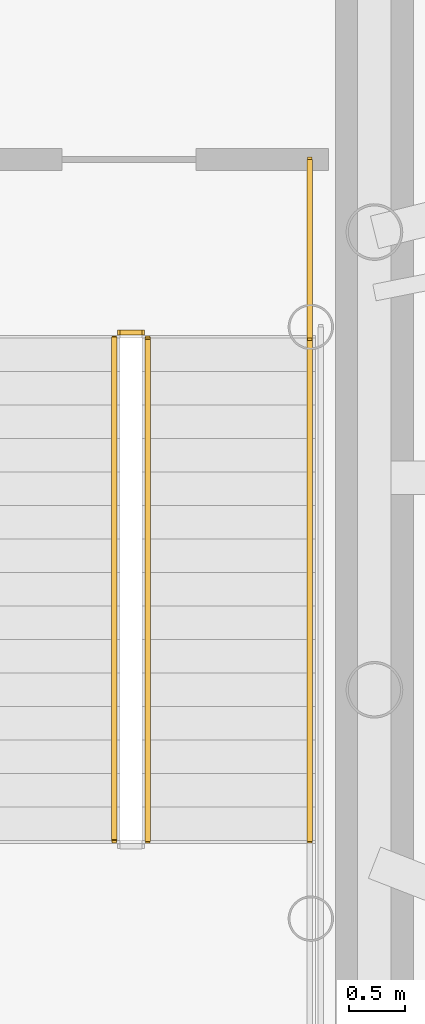
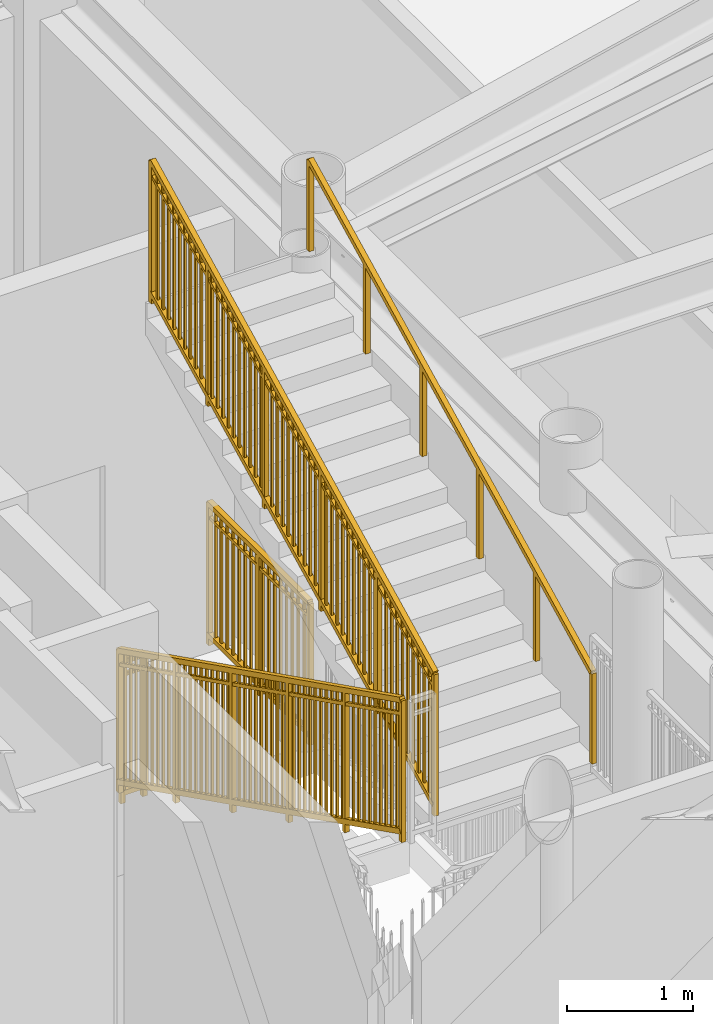
# One storey, part 31 of 32: 5 railings.
"""IFC4 building model written with IfcOpenShell, lengths in metres."""

from ifc_helpers import new_model, si_unit, direction, frame, origin, origin_2d, place, context, subcontext, project, spatial, rectangle, extrude, source, transform, mapped, material, type_object, element, save


model = new_model("IFC4")

# Units and contexts
model_context = context("Model", 3, precision=1e-05, world=origin(), true_north=direction((0.0, 1.0)))
body_context = subcontext(model_context, "Body", "Model", "MODEL_VIEW")
ifc_project = project(units=[si_unit("LENGTHUNIT", "METRE"), si_unit("AREAUNIT", "SQUARE_METRE"), si_unit("VOLUMEUNIT", "CUBIC_METRE"), si_unit("PLANEANGLEUNIT", "RADIAN"), si_unit("MASSUNIT", "GRAM", prefix="KILO")], contexts=[model_context])

# Site, building, storey
site_placement = place(None, origin())
site = spatial("IfcSite", under=ifc_project, at=site_placement, CompositionType="ELEMENT")
building_placement = place(site_placement, origin())
building = spatial("IfcBuilding", under=site, at=building_placement, Name="Linh Dai School and Residence Tower", CompositionType="ELEMENT")
storey_placement = place(building_placement, frame((0.0, 0.0, 268.199951171875)))
storey = spatial("IfcBuildingStorey", under=building, at=storey_placement, Name="L66", CompositionType="ELEMENT", Elevation=268.199951171875)

# Railings
ifc_material_1 = material(Name="Structural Steel S355JR", Category="steel")
railing_type_1 = type_object("IfcRailingType", Name="RL-ST-GUARD-1400", PredefinedType="GUARDRAIL", material=ifc_material_1)
shared_shape_1 = source(origin(), body_context, "Body", "SweptSolid", [
    extrude(rectangle(XDim=0.048095703125, YDim=0.048095703125, at=origin_2d()), frame((0.0, 0.0, 1.3759765625), z_axis=(0.0, 0.894427191, 0.4472135955), x_axis=(-1.0, 0.0, 0.0)), (0.0, 0.0, 1.0), 5.03125),
    extrude(rectangle(XDim=0.048095703125, YDim=0.048095703125, at=origin_2d()), frame((0.0, 0.0, 0.10009765625), z_axis=(0.0, 0.894427191, 0.4472135955), x_axis=(-1.0, 0.0, 0.0)), (0.0, 0.0, 1.0), 5.03125),
    extrude(rectangle(XDim=0.030029296875, YDim=0.030029296875, at=origin_2d()), frame((0.0, 0.0, 1.239990234375), z_axis=(0.0, 0.894427191, 0.4472135955), x_axis=(-1.0, 0.0, 0.0)), (0.0, 0.0, 1.0), 5.03125),
    extrude(rectangle(XDim=0.02001953125, YDim=0.02001953125, at=origin_2d()), frame((0.0, 0.08642578125, 0.143310546875)), (0.0, 0.0, 1.0), 1.251708984375),
    extrude(rectangle(XDim=0.02001953125, YDim=0.02001953125, at=origin_2d()), frame((0.0, 0.173095703125, 0.1865234375)), (0.0, 0.0, 1.0), 1.251708984375),
    extrude(rectangle(XDim=0.02001953125, YDim=0.02001953125, at=origin_2d()), frame((0.0, 0.259521484375, 0.22998046875)), (0.0, 0.0, 1.0), 1.251708984375),
    extrude(rectangle(XDim=0.02001953125, YDim=0.02001953125, at=origin_2d()), frame((0.0, 0.34619140625, 0.273193359375)), (0.0, 0.0, 1.0), 1.251708984375),
    extrude(rectangle(XDim=0.02001953125, YDim=0.02001953125, at=origin_2d()), frame((0.0, 0.4326171875, 0.31640625)), (0.0, 0.0, 1.0), 1.251708984375),
    extrude(rectangle(XDim=0.02001953125, YDim=0.02001953125, at=origin_2d()), frame((0.0, 0.519287109375, 0.359619140625)), (0.0, 0.0, 1.0), 1.251708984375),
    extrude(rectangle(XDim=0.02001953125, YDim=0.02001953125, at=origin_2d()), frame((0.0, 0.605712890625, 0.403076171875)), (0.0, 0.0, 1.0), 1.251708984375),
    extrude(rectangle(XDim=0.02001953125, YDim=0.02001953125, at=origin_2d()), frame((0.0, 0.6923828125, 0.4462890625)), (0.0, 0.0, 1.0), 1.251708984375),
    extrude(rectangle(XDim=0.02001953125, YDim=0.02001953125, at=origin_2d()), frame((0.0, 0.77880859375, 0.489501953125)), (0.0, 0.0, 1.0), 1.251708984375),
    extrude(rectangle(XDim=0.02001953125, YDim=0.02001953125, at=origin_2d()), frame((0.0, 0.951904296875, 0.576171875)), (0.0, 0.0, 1.0), 1.251708984375),
    extrude(rectangle(XDim=0.02001953125, YDim=0.02001953125, at=origin_2d()), frame((0.0, 1.03857421875, 0.619384765625)), (0.0, 0.0, 1.0), 1.251708984375),
    extrude(rectangle(XDim=0.02001953125, YDim=0.02001953125, at=origin_2d()), frame((0.0, 1.125, 0.66259765625)), (0.0, 0.0, 1.0), 1.251708984375),
    extrude(rectangle(XDim=0.02001953125, YDim=0.02001953125, at=origin_2d()), frame((0.0, 1.21142578125, 0.705810546875)), (0.0, 0.0, 1.0), 1.251708984375),
    extrude(rectangle(XDim=0.02001953125, YDim=0.02001953125, at=origin_2d()), frame((0.0, 1.298095703125, 0.7490234375)), (0.0, 0.0, 1.0), 1.251708984375),
    extrude(rectangle(XDim=0.02001953125, YDim=0.02001953125, at=origin_2d()), frame((0.0, 1.384521484375, 0.79248046875)), (0.0, 0.0, 1.0), 1.251708984375),
    extrude(rectangle(XDim=0.02001953125, YDim=0.02001953125, at=origin_2d()), frame((0.0, 1.47119140625, 0.835693359375)), (0.0, 0.0, 1.0), 1.251708984375),
    extrude(rectangle(XDim=0.02001953125, YDim=0.02001953125, at=origin_2d()), frame((0.0, 1.5576171875, 0.87890625)), (0.0, 0.0, 1.0), 1.251708984375),
    extrude(rectangle(XDim=0.02001953125, YDim=0.02001953125, at=origin_2d()), frame((0.0, 1.644287109375, 0.922119140625)), (0.0, 0.0, 1.0), 1.251708984375),
    extrude(rectangle(XDim=0.02001953125, YDim=0.02001953125, at=origin_2d()), frame((0.0, 1.730712890625, 0.965576171875)), (0.0, 0.0, 1.0), 1.251708984375),
    extrude(rectangle(XDim=0.02001953125, YDim=0.02001953125, at=origin_2d()), frame((0.0, 1.90380859375, 1.052001953125)), (0.0, 0.0, 1.0), 1.251708984375),
    extrude(rectangle(XDim=0.02001953125, YDim=0.02001953125, at=origin_2d()), frame((0.0, 1.990478515625, 1.09521484375)), (0.0, 0.0, 1.0), 1.251708984375),
    extrude(rectangle(XDim=0.02001953125, YDim=0.02001953125, at=origin_2d()), frame((0.0, 2.076904296875, 1.138671875)), (0.0, 0.0, 1.0), 1.251708984375),
    extrude(rectangle(XDim=0.02001953125, YDim=0.02001953125, at=origin_2d()), frame((0.0, 2.16357421875, 1.181884765625)), (0.0, 0.0, 1.0), 1.251708984375),
    extrude(rectangle(XDim=0.02001953125, YDim=0.02001953125, at=origin_2d()), frame((0.0, 2.25, 1.22509765625)), (0.0, 0.0, 1.0), 1.251708984375),
    extrude(rectangle(XDim=0.02001953125, YDim=0.02001953125, at=origin_2d()), frame((0.0, 2.33642578125, 1.268310546875)), (0.0, 0.0, 1.0), 1.251708984375),
    extrude(rectangle(XDim=0.02001953125, YDim=0.02001953125, at=origin_2d()), frame((0.0, 2.423095703125, 1.3115234375)), (0.0, 0.0, 1.0), 1.251708984375),
    extrude(rectangle(XDim=0.02001953125, YDim=0.02001953125, at=origin_2d()), frame((0.0, 2.509521484375, 1.35498046875)), (0.0, 0.0, 1.0), 1.251708984375),
    extrude(rectangle(XDim=0.02001953125, YDim=0.02001953125, at=origin_2d()), frame((0.0, 2.59619140625, 1.398193359375)), (0.0, 0.0, 1.0), 1.251708984375),
    extrude(rectangle(XDim=0.02001953125, YDim=0.02001953125, at=origin_2d()), frame((0.0, 2.769287109375, 1.484619140625)), (0.0, 0.0, 1.0), 1.251708984375),
    extrude(rectangle(XDim=0.02001953125, YDim=0.02001953125, at=origin_2d()), frame((0.0, 2.855712890625, 1.528076171875)), (0.0, 0.0, 1.0), 1.251708984375),
    extrude(rectangle(XDim=0.02001953125, YDim=0.02001953125, at=origin_2d()), frame((0.0, 2.9423828125, 1.5712890625)), (0.0, 0.0, 1.0), 1.251708984375),
    extrude(rectangle(XDim=0.02001953125, YDim=0.02001953125, at=origin_2d()), frame((0.0, 3.02880859375, 1.614501953125)), (0.0, 0.0, 1.0), 1.251708984375),
    extrude(rectangle(XDim=0.02001953125, YDim=0.02001953125, at=origin_2d()), frame((0.0, 3.115478515625, 1.65771484375)), (0.0, 0.0, 1.0), 1.251708984375),
    extrude(rectangle(XDim=0.02001953125, YDim=0.02001953125, at=origin_2d()), frame((0.0, 3.201904296875, 1.701171875)), (0.0, 0.0, 1.0), 1.251708984375),
    extrude(rectangle(XDim=0.02001953125, YDim=0.02001953125, at=origin_2d()), frame((0.0, 3.28857421875, 1.744384765625)), (0.0, 0.0, 1.0), 1.251708984375),
    extrude(rectangle(XDim=0.02001953125, YDim=0.02001953125, at=origin_2d()), frame((0.0, 3.375, 1.78759765625)), (0.0, 0.0, 1.0), 1.251708984375),
    extrude(rectangle(XDim=0.02001953125, YDim=0.02001953125, at=origin_2d()), frame((0.0, 3.46142578125, 1.830810546875)), (0.0, 0.0, 1.0), 1.251708984375),
    extrude(rectangle(XDim=0.02001953125, YDim=0.02001953125, at=origin_2d()), frame((0.0, 3.548095703125, 1.8740234375)), (0.0, 0.0, 1.0), 1.251708984375),
    extrude(rectangle(XDim=0.02001953125, YDim=0.02001953125, at=origin_2d()), frame((0.0, 3.72119140625, 1.960693359375)), (0.0, 0.0, 1.0), 1.251708984375),
    extrude(rectangle(XDim=0.02001953125, YDim=0.02001953125, at=origin_2d()), frame((0.0, 3.8076171875, 2.00390625)), (0.0, 0.0, 1.0), 1.251708984375),
    extrude(rectangle(XDim=0.02001953125, YDim=0.02001953125, at=origin_2d()), frame((0.0, 3.894287109375, 2.047119140625)), (0.0, 0.0, 1.0), 1.251708984375),
    extrude(rectangle(XDim=0.02001953125, YDim=0.02001953125, at=origin_2d()), frame((0.0, 3.980712890625, 2.090576171875)), (0.0, 0.0, 1.0), 1.251708984375),
    extrude(rectangle(XDim=0.02001953125, YDim=0.02001953125, at=origin_2d()), frame((0.0, 4.0673828125, 2.1337890625)), (0.0, 0.0, 1.0), 1.251708984375),
    extrude(rectangle(XDim=0.02001953125, YDim=0.02001953125, at=origin_2d()), frame((0.0, 4.15380859375, 2.177001953125)), (0.0, 0.0, 1.0), 1.251708984375),
    extrude(rectangle(XDim=0.02001953125, YDim=0.02001953125, at=origin_2d()), frame((0.0, 4.240478515625, 2.22021484375)), (0.0, 0.0, 1.0), 1.251708984375),
    extrude(rectangle(XDim=0.02001953125, YDim=0.02001953125, at=origin_2d()), frame((0.0, 4.326904296875, 2.263671875)), (0.0, 0.0, 1.0), 1.251708984375),
    extrude(rectangle(XDim=0.02001953125, YDim=0.02001953125, at=origin_2d()), frame((0.0, 4.41357421875, 2.306884765625)), (0.0, 0.0, 1.0), 1.251708984375),
    extrude(rectangle(XDim=0.0419921875, YDim=0.0419921875, at=origin_2d()), origin(), (0.0, 0.0, 1.0), 1.3759765625),
    extrude(rectangle(XDim=0.0419921875, YDim=0.0419921875, at=origin_2d()), frame((0.0, 0.89990234375, 0.449951171875)), (0.0, 0.0, 1.0), 1.3759765625),
    extrude(rectangle(XDim=0.0419921875, YDim=0.0419921875, at=origin_2d()), frame((0.0, 1.800048828125, 0.89990234375)), (0.0, 0.0, 1.0), 1.3759765625),
    extrude(rectangle(XDim=0.0419921875, YDim=0.0419921875, at=origin_2d()), frame((0.0, 2.699951171875, 1.35009765625)), (0.0, 0.0, 1.0), 1.3759765625),
    extrude(rectangle(XDim=0.0419921875, YDim=0.0419921875, at=origin_2d()), frame((0.0, 3.60009765625, 1.800048828125)), (0.0, 0.0, 1.0), 1.3759765625),
    extrude(rectangle(XDim=0.0419921875, YDim=0.0419921875, at=origin_2d()), frame((0.0, 4.5, 2.25)), (0.0, 0.0, 1.0), 1.3759765625),
])
railing_1_placement = place(storey_placement, frame((42.820068359375, 23.75, 2.550048828125)))
element("IfcRailing", 1, at=railing_1_placement, inside=storey, type_object=railing_type_1, Name="L66 ST2 stair guard 6", PredefinedType="GUARDRAIL", context=body_context, shape_type="MappedRepresentation", body=[
    mapped(shared_shape_1, transform((0.0, 0.0, 0.0), x_axis=(1.0, 0.0, 0.0), y_axis=(0.0, 1.0, 0.0), z_axis=(0.0, 0.0, 1.0), scale=1.0)),
])
shared_shape_2 = source(origin(), body_context, "Body", "SweptSolid", [
    extrude(rectangle(XDim=0.048095703125, YDim=0.048095703125, at=origin_2d()), frame((0.0, 0.0, 1.3759765625), z_axis=(0.0, -0.894427191, 0.4472135955), x_axis=(1.0, 0.0, 0.0)), (0.0, 0.0, 1.0), 5.03125),
    extrude(rectangle(XDim=0.048095703125, YDim=0.048095703125, at=origin_2d()), frame((0.0, 0.0, 0.10009765625), z_axis=(0.0, -0.894427191, 0.4472135955), x_axis=(1.0, 0.0, 0.0)), (0.0, 0.0, 1.0), 5.03125),
    extrude(rectangle(XDim=0.030029296875, YDim=0.030029296875, at=origin_2d()), frame((0.0, 0.0, 1.239990234375), z_axis=(0.0, -0.894427191, 0.4472135955), x_axis=(1.0, 0.0, 0.0)), (0.0, 0.0, 1.0), 5.03125),
    extrude(rectangle(XDim=0.02001953125, YDim=0.02001953125, at=origin_2d()), frame((0.0, -0.08642578125, 0.143310546875)), (0.0, 0.0, 1.0), 1.251708984375),
    extrude(rectangle(XDim=0.02001953125, YDim=0.02001953125, at=origin_2d()), frame((0.0, -0.173095703125, 0.1865234375)), (0.0, 0.0, 1.0), 1.251708984375),
    extrude(rectangle(XDim=0.02001953125, YDim=0.02001953125, at=origin_2d()), frame((0.0, -0.259521484375, 0.22998046875)), (0.0, 0.0, 1.0), 1.251708984375),
    extrude(rectangle(XDim=0.02001953125, YDim=0.02001953125, at=origin_2d()), frame((0.0, -0.34619140625, 0.273193359375)), (0.0, 0.0, 1.0), 1.251708984375),
    extrude(rectangle(XDim=0.02001953125, YDim=0.02001953125, at=origin_2d()), frame((0.0, -0.4326171875, 0.31640625)), (0.0, 0.0, 1.0), 1.251708984375),
    extrude(rectangle(XDim=0.02001953125, YDim=0.02001953125, at=origin_2d()), frame((0.0, -0.519287109375, 0.359619140625)), (0.0, 0.0, 1.0), 1.251708984375),
    extrude(rectangle(XDim=0.02001953125, YDim=0.02001953125, at=origin_2d()), frame((0.0, -0.605712890625, 0.403076171875)), (0.0, 0.0, 1.0), 1.251708984375),
    extrude(rectangle(XDim=0.02001953125, YDim=0.02001953125, at=origin_2d()), frame((0.0, -0.6923828125, 0.4462890625)), (0.0, 0.0, 1.0), 1.251708984375),
    extrude(rectangle(XDim=0.02001953125, YDim=0.02001953125, at=origin_2d()), frame((0.0, -0.77880859375, 0.489501953125)), (0.0, 0.0, 1.0), 1.251708984375),
    extrude(rectangle(XDim=0.02001953125, YDim=0.02001953125, at=origin_2d()), frame((0.0, -0.951904296875, 0.576171875)), (0.0, 0.0, 1.0), 1.251708984375),
    extrude(rectangle(XDim=0.02001953125, YDim=0.02001953125, at=origin_2d()), frame((0.0, -1.03857421875, 0.619384765625)), (0.0, 0.0, 1.0), 1.251708984375),
    extrude(rectangle(XDim=0.02001953125, YDim=0.02001953125, at=origin_2d()), frame((0.0, -1.125, 0.66259765625)), (0.0, 0.0, 1.0), 1.251708984375),
    extrude(rectangle(XDim=0.02001953125, YDim=0.02001953125, at=origin_2d()), frame((0.0, -1.21142578125, 0.705810546875)), (0.0, 0.0, 1.0), 1.251708984375),
    extrude(rectangle(XDim=0.02001953125, YDim=0.02001953125, at=origin_2d()), frame((0.0, -1.298095703125, 0.7490234375)), (0.0, 0.0, 1.0), 1.251708984375),
    extrude(rectangle(XDim=0.02001953125, YDim=0.02001953125, at=origin_2d()), frame((0.0, -1.384521484375, 0.79248046875)), (0.0, 0.0, 1.0), 1.251708984375),
    extrude(rectangle(XDim=0.02001953125, YDim=0.02001953125, at=origin_2d()), frame((0.0, -1.47119140625, 0.835693359375)), (0.0, 0.0, 1.0), 1.251708984375),
    extrude(rectangle(XDim=0.02001953125, YDim=0.02001953125, at=origin_2d()), frame((0.0, -1.5576171875, 0.87890625)), (0.0, 0.0, 1.0), 1.251708984375),
    extrude(rectangle(XDim=0.02001953125, YDim=0.02001953125, at=origin_2d()), frame((0.0, -1.644287109375, 0.922119140625)), (0.0, 0.0, 1.0), 1.251708984375),
    extrude(rectangle(XDim=0.02001953125, YDim=0.02001953125, at=origin_2d()), frame((0.0, -1.730712890625, 0.965576171875)), (0.0, 0.0, 1.0), 1.251708984375),
    extrude(rectangle(XDim=0.02001953125, YDim=0.02001953125, at=origin_2d()), frame((0.0, -1.90380859375, 1.052001953125)), (0.0, 0.0, 1.0), 1.251708984375),
    extrude(rectangle(XDim=0.02001953125, YDim=0.02001953125, at=origin_2d()), frame((0.0, -1.990478515625, 1.09521484375)), (0.0, 0.0, 1.0), 1.251708984375),
    extrude(rectangle(XDim=0.02001953125, YDim=0.02001953125, at=origin_2d()), frame((0.0, -2.076904296875, 1.138671875)), (0.0, 0.0, 1.0), 1.251708984375),
    extrude(rectangle(XDim=0.02001953125, YDim=0.02001953125, at=origin_2d()), frame((0.0, -2.16357421875, 1.181884765625)), (0.0, 0.0, 1.0), 1.251708984375),
    extrude(rectangle(XDim=0.02001953125, YDim=0.02001953125, at=origin_2d()), frame((0.0, -2.25, 1.22509765625)), (0.0, 0.0, 1.0), 1.251708984375),
    extrude(rectangle(XDim=0.02001953125, YDim=0.02001953125, at=origin_2d()), frame((0.0, -2.33642578125, 1.268310546875)), (0.0, 0.0, 1.0), 1.251708984375),
    extrude(rectangle(XDim=0.02001953125, YDim=0.02001953125, at=origin_2d()), frame((0.0, -2.423095703125, 1.3115234375)), (0.0, 0.0, 1.0), 1.251708984375),
    extrude(rectangle(XDim=0.02001953125, YDim=0.02001953125, at=origin_2d()), frame((0.0, -2.509521484375, 1.35498046875)), (0.0, 0.0, 1.0), 1.251708984375),
    extrude(rectangle(XDim=0.02001953125, YDim=0.02001953125, at=origin_2d()), frame((0.0, -2.59619140625, 1.398193359375)), (0.0, 0.0, 1.0), 1.251708984375),
    extrude(rectangle(XDim=0.02001953125, YDim=0.02001953125, at=origin_2d()), frame((0.0, -2.769287109375, 1.484619140625)), (0.0, 0.0, 1.0), 1.251708984375),
    extrude(rectangle(XDim=0.02001953125, YDim=0.02001953125, at=origin_2d()), frame((0.0, -2.855712890625, 1.528076171875)), (0.0, 0.0, 1.0), 1.251708984375),
    extrude(rectangle(XDim=0.02001953125, YDim=0.02001953125, at=origin_2d()), frame((0.0, -2.9423828125, 1.5712890625)), (0.0, 0.0, 1.0), 1.251708984375),
    extrude(rectangle(XDim=0.02001953125, YDim=0.02001953125, at=origin_2d()), frame((0.0, -3.02880859375, 1.614501953125)), (0.0, 0.0, 1.0), 1.251708984375),
    extrude(rectangle(XDim=0.02001953125, YDim=0.02001953125, at=origin_2d()), frame((0.0, -3.115478515625, 1.65771484375)), (0.0, 0.0, 1.0), 1.251708984375),
    extrude(rectangle(XDim=0.02001953125, YDim=0.02001953125, at=origin_2d()), frame((0.0, -3.201904296875, 1.701171875)), (0.0, 0.0, 1.0), 1.251708984375),
    extrude(rectangle(XDim=0.02001953125, YDim=0.02001953125, at=origin_2d()), frame((0.0, -3.28857421875, 1.744384765625)), (0.0, 0.0, 1.0), 1.251708984375),
    extrude(rectangle(XDim=0.02001953125, YDim=0.02001953125, at=origin_2d()), frame((0.0, -3.375, 1.78759765625)), (0.0, 0.0, 1.0), 1.251708984375),
    extrude(rectangle(XDim=0.02001953125, YDim=0.02001953125, at=origin_2d()), frame((0.0, -3.46142578125, 1.830810546875)), (0.0, 0.0, 1.0), 1.251708984375),
    extrude(rectangle(XDim=0.02001953125, YDim=0.02001953125, at=origin_2d()), frame((0.0, -3.548095703125, 1.8740234375)), (0.0, 0.0, 1.0), 1.251708984375),
    extrude(rectangle(XDim=0.02001953125, YDim=0.02001953125, at=origin_2d()), frame((0.0, -3.72119140625, 1.960693359375)), (0.0, 0.0, 1.0), 1.251708984375),
    extrude(rectangle(XDim=0.02001953125, YDim=0.02001953125, at=origin_2d()), frame((0.0, -3.8076171875, 2.00390625)), (0.0, 0.0, 1.0), 1.251708984375),
    extrude(rectangle(XDim=0.02001953125, YDim=0.02001953125, at=origin_2d()), frame((0.0, -3.894287109375, 2.047119140625)), (0.0, 0.0, 1.0), 1.251708984375),
    extrude(rectangle(XDim=0.02001953125, YDim=0.02001953125, at=origin_2d()), frame((0.0, -3.980712890625, 2.090576171875)), (0.0, 0.0, 1.0), 1.251708984375),
    extrude(rectangle(XDim=0.02001953125, YDim=0.02001953125, at=origin_2d()), frame((0.0, -4.0673828125, 2.1337890625)), (0.0, 0.0, 1.0), 1.251708984375),
    extrude(rectangle(XDim=0.02001953125, YDim=0.02001953125, at=origin_2d()), frame((0.0, -4.15380859375, 2.177001953125)), (0.0, 0.0, 1.0), 1.251708984375),
    extrude(rectangle(XDim=0.02001953125, YDim=0.02001953125, at=origin_2d()), frame((0.0, -4.240478515625, 2.22021484375)), (0.0, 0.0, 1.0), 1.251708984375),
    extrude(rectangle(XDim=0.02001953125, YDim=0.02001953125, at=origin_2d()), frame((0.0, -4.326904296875, 2.263671875)), (0.0, 0.0, 1.0), 1.251708984375),
    extrude(rectangle(XDim=0.02001953125, YDim=0.02001953125, at=origin_2d()), frame((0.0, -4.41357421875, 2.306884765625)), (0.0, 0.0, 1.0), 1.251708984375),
    extrude(rectangle(XDim=0.0419921875, YDim=0.0419921875, at=origin_2d()), origin(), (0.0, 0.0, 1.0), 1.3759765625),
    extrude(rectangle(XDim=0.0419921875, YDim=0.0419921875, at=origin_2d()), frame((0.0, -0.89990234375, 0.449951171875)), (0.0, 0.0, 1.0), 1.3759765625),
    extrude(rectangle(XDim=0.0419921875, YDim=0.0419921875, at=origin_2d()), frame((0.0, -1.800048828125, 0.89990234375)), (0.0, 0.0, 1.0), 1.3759765625),
    extrude(rectangle(XDim=0.0419921875, YDim=0.0419921875, at=origin_2d()), frame((0.0, -2.699951171875, 1.35009765625)), (0.0, 0.0, 1.0), 1.3759765625),
    extrude(rectangle(XDim=0.0419921875, YDim=0.0419921875, at=origin_2d()), frame((0.0, -3.60009765625, 1.800048828125)), (0.0, 0.0, 1.0), 1.3759765625),
    extrude(rectangle(XDim=0.0419921875, YDim=0.0419921875, at=origin_2d()), frame((0.0, -4.5, 2.25)), (0.0, 0.0, 1.0), 1.3759765625),
])
railing_2_placement = place(storey_placement, frame((42.52001953125, 28.25, 0.150146484375)))
element("IfcRailing", 2, at=railing_2_placement, inside=storey, type_object=railing_type_1, Name="L66 ST2 stair guard 1", PredefinedType="GUARDRAIL", context=body_context, shape_type="MappedRepresentation", body=[
    mapped(shared_shape_2, transform((0.0, 0.0, 0.0), x_axis=(1.0, 0.0, 0.0), y_axis=(0.0, 1.0, 0.0), z_axis=(0.0, 0.0, 1.0), scale=1.0)),
])
ifc_material_2 = material(Name="Brushed Stainless Steel Handrail", Category="steel")
railing_type_2 = type_object("IfcRailingType", Name="RL-ST-HANDRAIL-900", PredefinedType="HANDRAIL", material=ifc_material_2)
shared_shape_3 = source(origin(), body_context, "Body", "SweptSolid", [
    extrude(rectangle(XDim=0.048095703125, YDim=0.048095703125, at=origin_2d()), frame((0.0, 0.0, 0.8759765625), z_axis=(0.0, 0.894427191, 0.4472135955), x_axis=(-1.0, 0.0, 0.0)), (0.0, 0.0, 1.0), 5.03125),
    extrude(rectangle(XDim=0.0419921875, YDim=0.0419921875, at=origin_2d()), origin(), (0.0, 0.0, 1.0), 0.8759765625),
    extrude(rectangle(XDim=0.0419921875, YDim=0.0419921875, at=origin_2d()), frame((0.0, 0.89990234375, 0.449951171875)), (0.0, 0.0, 1.0), 0.8759765625),
    extrude(rectangle(XDim=0.0419921875, YDim=0.0419921875, at=origin_2d()), frame((0.0, 1.800048828125, 0.89990234375)), (0.0, 0.0, 1.0), 0.8759765625),
    extrude(rectangle(XDim=0.0419921875, YDim=0.0419921875, at=origin_2d()), frame((0.0, 2.699951171875, 1.35009765625)), (0.0, 0.0, 1.0), 0.8759765625),
    extrude(rectangle(XDim=0.0419921875, YDim=0.0419921875, at=origin_2d()), frame((0.0, 3.60009765625, 1.800048828125)), (0.0, 0.0, 1.0), 0.8759765625),
    extrude(rectangle(XDim=0.0419921875, YDim=0.0419921875, at=origin_2d()), frame((0.0, 4.5, 2.25)), (0.0, 0.0, 1.0), 0.8759765625),
])
railing_3_placement = place(storey_placement, frame((44.27001953125, 23.75, 2.550048828125)))
element("IfcRailing", 3, at=railing_3_placement, inside=storey, type_object=railing_type_2, Name="L66 ST2 stair handrail 2", PredefinedType="HANDRAIL", context=body_context, shape_type="MappedRepresentation", body=[
    mapped(shared_shape_3, transform((0.0, 0.0, 0.0), x_axis=(1.0, 0.0, 0.0), y_axis=(0.0, 1.0, 0.0), z_axis=(0.0, 0.0, 1.0), scale=1.0)),
])
shared_shape_4 = source(origin(), body_context, "Body", "SweptSolid", [
    extrude(rectangle(XDim=0.048095703125, YDim=0.048095703125, at=origin_2d()), frame((0.0, 0.0, 1.3759765625), z_axis=(1.0, 0.0, 0.0), x_axis=(0.0, 1.0, 0.0)), (0.0, 0.0, 1.0), 0.199951171875),
    extrude(rectangle(XDim=0.048095703125, YDim=0.048095703125, at=origin_2d()), frame((0.0, 0.0, 0.10009765625), z_axis=(1.0, 0.0, 0.0), x_axis=(0.0, 1.0, 0.0)), (0.0, 0.0, 1.0), 0.199951171875),
    extrude(rectangle(XDim=0.030029296875, YDim=0.030029296875, at=origin_2d()), frame((0.0, 0.0, 1.239990234375), z_axis=(1.0, 0.0, 0.0), x_axis=(0.0, 1.0, 0.0)), (0.0, 0.0, 1.0), 0.199951171875),
    extrude(rectangle(XDim=0.0419921875, YDim=0.0419921875, at=origin_2d()), origin(), (0.0, 0.0, 1.0), 1.3759765625),
    extrude(rectangle(XDim=0.0419921875, YDim=0.0419921875, at=origin_2d()), frame((0.199951171875, 0.0, 0.0)), (0.0, 0.0, 1.0), 1.3759765625),
])
railing_4_placement = place(storey_placement, frame((42.570068359375, 28.300048828125, 0.0)))
element("IfcRailing", 4, at=railing_4_placement, inside=storey, type_object=railing_type_1, Name="L66 ST2 stair guard 7", PredefinedType="GUARDRAIL", context=body_context, shape_type="MappedRepresentation", body=[
    mapped(shared_shape_4, transform((0.0, 0.0, 0.0), x_axis=(1.0, 0.0, 0.0), y_axis=(0.0, 1.0, 0.0), z_axis=(0.0, 0.0, 1.0), scale=1.0)),
])
shared_shape_5 = source(origin(), body_context, "Body", "SweptSolid", [
    extrude(rectangle(XDim=0.048095703125, YDim=0.048095703125, at=origin_2d()), frame((0.0, 0.0, 1.3759765625), z_axis=(0.0, -1.0, 0.0), x_axis=(1.0, 0.0, 0.0)), (0.0, 0.0, 1.0), 1.60009765625),
    extrude(rectangle(XDim=0.048095703125, YDim=0.048095703125, at=origin_2d()), frame((0.0, 0.0, 0.10009765625), z_axis=(0.0, -1.0, 0.0), x_axis=(1.0, 0.0, 0.0)), (0.0, 0.0, 1.0), 1.60009765625),
    extrude(rectangle(XDim=0.030029296875, YDim=0.030029296875, at=origin_2d()), frame((0.0, 0.0, 1.239990234375), z_axis=(0.0, -1.0, 0.0), x_axis=(1.0, 0.0, 0.0)), (0.0, 0.0, 1.0), 1.60009765625),
    extrude(rectangle(XDim=0.02001953125, YDim=0.02001953125, at=origin_2d()), frame((0.0, -0.09423828125, 0.10009765625)), (0.0, 0.0, 1.0), 1.251708984375),
    extrude(rectangle(XDim=0.02001953125, YDim=0.02001953125, at=origin_2d()), frame((0.0, -0.188232421875, 0.10009765625)), (0.0, 0.0, 1.0), 1.251708984375),
    extrude(rectangle(XDim=0.02001953125, YDim=0.02001953125, at=origin_2d()), frame((0.0, -0.282470703125, 0.10009765625)), (0.0, 0.0, 1.0), 1.251708984375),
    extrude(rectangle(XDim=0.02001953125, YDim=0.02001953125, at=origin_2d()), frame((0.0, -0.37646484375, 0.10009765625)), (0.0, 0.0, 1.0), 1.251708984375),
    extrude(rectangle(XDim=0.02001953125, YDim=0.02001953125, at=origin_2d()), frame((0.0, -0.470703125, 0.10009765625)), (0.0, 0.0, 1.0), 1.251708984375),
    extrude(rectangle(XDim=0.02001953125, YDim=0.02001953125, at=origin_2d()), frame((0.0, -0.564697265625, 0.10009765625)), (0.0, 0.0, 1.0), 1.251708984375),
    extrude(rectangle(XDim=0.02001953125, YDim=0.02001953125, at=origin_2d()), frame((0.0, -0.658935546875, 0.10009765625)), (0.0, 0.0, 1.0), 1.251708984375),
    extrude(rectangle(XDim=0.02001953125, YDim=0.02001953125, at=origin_2d()), frame((0.0, -0.7529296875, 0.10009765625)), (0.0, 0.0, 1.0), 1.251708984375),
    extrude(rectangle(XDim=0.02001953125, YDim=0.02001953125, at=origin_2d()), frame((0.0, -0.84716796875, 0.10009765625)), (0.0, 0.0, 1.0), 1.251708984375),
    extrude(rectangle(XDim=0.02001953125, YDim=0.02001953125, at=origin_2d()), frame((0.0, -0.941162109375, 0.10009765625)), (0.0, 0.0, 1.0), 1.251708984375),
    extrude(rectangle(XDim=0.02001953125, YDim=0.02001953125, at=origin_2d()), frame((0.0, -1.035400390625, 0.10009765625)), (0.0, 0.0, 1.0), 1.251708984375),
    extrude(rectangle(XDim=0.02001953125, YDim=0.02001953125, at=origin_2d()), frame((0.0, -1.12939453125, 0.10009765625)), (0.0, 0.0, 1.0), 1.251708984375),
    extrude(rectangle(XDim=0.02001953125, YDim=0.02001953125, at=origin_2d()), frame((0.0, -1.2236328125, 0.10009765625)), (0.0, 0.0, 1.0), 1.251708984375),
    extrude(rectangle(XDim=0.02001953125, YDim=0.02001953125, at=origin_2d()), frame((0.0, -1.317626953125, 0.10009765625)), (0.0, 0.0, 1.0), 1.251708984375),
    extrude(rectangle(XDim=0.02001953125, YDim=0.02001953125, at=origin_2d()), frame((0.0, -1.411865234375, 0.10009765625)), (0.0, 0.0, 1.0), 1.251708984375),
    extrude(rectangle(XDim=0.02001953125, YDim=0.02001953125, at=origin_2d()), frame((0.0, -1.505859375, 0.10009765625)), (0.0, 0.0, 1.0), 1.251708984375),
    extrude(rectangle(XDim=0.0419921875, YDim=0.0419921875, at=origin_2d()), origin(), (0.0, 0.0, 1.0), 1.3759765625),
    extrude(rectangle(XDim=0.0419921875, YDim=0.0419921875, at=origin_2d()), frame((0.0, -0.800048828125, 0.0)), (0.0, 0.0, 1.0), 1.3759765625),
    extrude(rectangle(XDim=0.0419921875, YDim=0.0419921875, at=origin_2d()), frame((0.0, -1.60009765625, 0.0)), (0.0, 0.0, 1.0), 1.3759765625),
])
railing_5_placement = place(storey_placement, frame((44.27001953125, 29.85009765625, 0.0)))
element("IfcRailing", 5, at=railing_5_placement, inside=storey, type_object=railing_type_1, Name="L66 ST2 stair guard 9", PredefinedType="GUARDRAIL", context=body_context, shape_type="MappedRepresentation", body=[
    mapped(shared_shape_5, transform((0.0, 0.0, 0.0), x_axis=(1.0, 0.0, 0.0), y_axis=(0.0, 1.0, 0.0), z_axis=(0.0, 0.0, 1.0), scale=1.0)),
])

save(model, "model.ifc")
